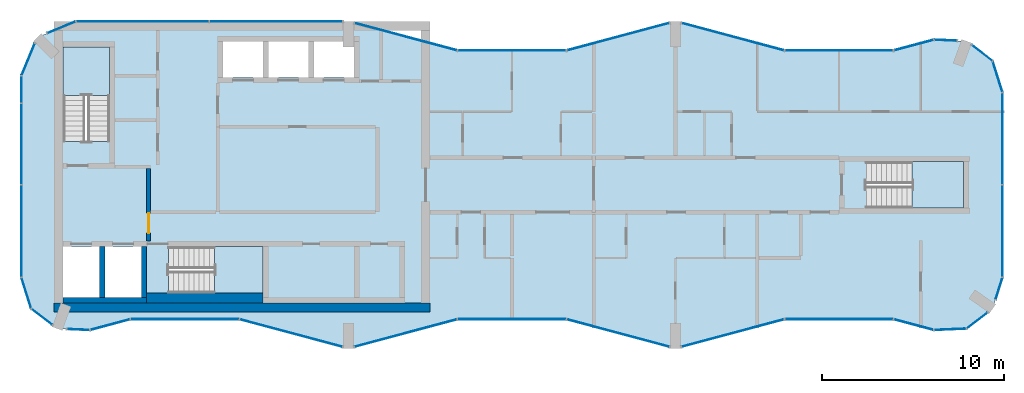
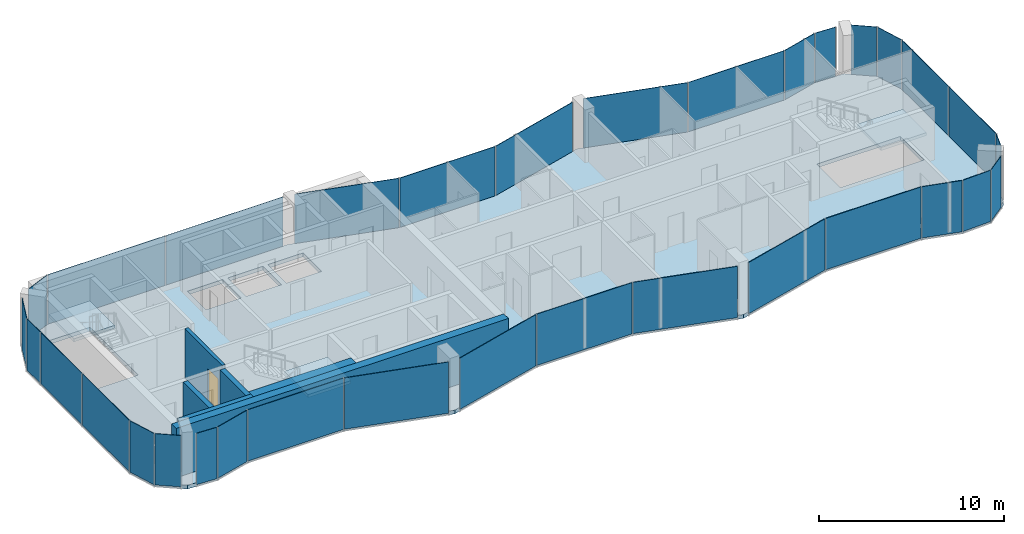
# One storey, part 6 of 10: 33 plates, 6 walls, 4 slabs, 1 door, 1 opening, 32 elements without a shape of their own.
"""IFC4 building model written with IfcOpenShell, lengths in metres."""

import ifcopenshell
import ifcopenshell.guid

model = None  # the IFC model being written
_history = None  # IfcOwnerHistory: only IFC2X3 demands one
_inside = {}  # id of a spatial element -> (the spatial element, [elements in it])
_under = {}  # id of a project, library or spatial element -> (it, [spatial elements below it])
_declared = {}  # id of a project -> (the project, [libraries it declares])
_typed = {}  # id of a type object -> (the type object, [elements of that type])
_made_of = {}  # id of a material, layer set ... -> (it, [elements and type objects made of it])


def new_model(schema):
    """Start an empty IFC model of exactly this schema.

    Asked for "IFC4X3", IfcOpenShell would pick the latest addendum, in which some entities
    have other attributes; the version numbers below select the first issue.
    IFC2X3 requires an IfcOwnerHistory on every rooted entity: one is made here for all.
    """
    global model, _history
    if schema == "IFC4X3":
        model = ifcopenshell.file(schema_version=(4, 3, 0, 0))
    else:
        model = ifcopenshell.file(schema=schema)
    _inside.clear()
    _under.clear()
    _declared.clear()
    _typed.clear()
    _made_of.clear()
    _history = None
    if model.schema == "IFC2X3":
        org = make("IfcOrganization", Name="unknown")
        user = make(
            "IfcPersonAndOrganization",
            ThePerson=make("IfcPerson", FamilyName="unknown"),
            TheOrganization=org,
        )
        app = make(
            "IfcApplication",
            ApplicationDeveloper=org,
            Version="unknown",
            ApplicationFullName="unknown",
            ApplicationIdentifier="unknown",
        )
        _history = make(
            "IfcOwnerHistory",
            OwningUser=user,
            OwningApplication=app,
            ChangeAction="ADDED",
            CreationDate=0,
        )
    return model


def make(cls, **values):
    """One entity of the class cls with the attributes given. An attribute that is None is left unset."""
    return model.create_entity(
        cls, **{name: value for name, value in values.items() if value is not None}
    )


def rooted(cls, **values):
    """An entity with a GlobalId (a new one), such as an element, a storey or a relation."""
    return make(cls, GlobalId=ifcopenshell.guid.new(), OwnerHistory=_history, **values)


def si_unit(unit_type, name, prefix=None):
    """IfcSIUnit, for example si_unit("LENGTHUNIT", "METRE", prefix="MILLI")."""
    return make("IfcSIUnit", UnitType=unit_type, Prefix=prefix, Name=name)


def assignment(units):
    """IfcUnitAssignment: the units of a project."""
    return None if units is None else make("IfcUnitAssignment", Units=units)


def point(xyz):
    """IfcCartesianPoint."""
    return None if xyz is None else make("IfcCartesianPoint", Coordinates=xyz)


def direction(xyz):
    """IfcDirection."""
    return None if xyz is None else make("IfcDirection", DirectionRatios=xyz)


def frame(location, z_axis=None, x_axis=None):
    """IfcAxis2Placement3D, a coordinate frame: its origin and axes. An axis left out is left unset."""
    return make(
        "IfcAxis2Placement3D",
        Location=point(location),
        Axis=direction(z_axis),
        RefDirection=direction(x_axis),
    )


def frame_2d(location, x_axis=None):
    """IfcAxis2Placement2D, a coordinate frame in the plane: its origin and x axis."""
    return make(
        "IfcAxis2Placement2D", Location=point(location), RefDirection=direction(x_axis)
    )


def origin():
    """The frame at (0, 0, 0) with its axes left unset."""
    return frame((0.0, 0.0, 0.0))


def origin_2d():
    """The frame at (0, 0) in the plane with its x axis left unset."""
    return frame_2d((0.0, 0.0))


def place(relative_to, where):
    """IfcLocalPlacement: puts the frame where relative to a parent placement (None: the world)."""
    return make(
        "IfcLocalPlacement", PlacementRelTo=relative_to, RelativePlacement=where
    )


def context(
    kind, dimensions, precision=None, world=None, true_north=None, identifier=None
):
    """IfcGeometricRepresentationContext, for example the 3D "Model" context."""
    return make(
        "IfcGeometricRepresentationContext",
        ContextIdentifier=identifier,
        ContextType=kind,
        CoordinateSpaceDimension=dimensions,
        Precision=precision,
        WorldCoordinateSystem=world,
        TrueNorth=true_north,
    )


def subcontext(parent, identifier, kind, view, scale=None):
    """IfcGeometricRepresentationSubContext, for example "Body" below "Model"."""
    return make(
        "IfcGeometricRepresentationSubContext",
        ContextIdentifier=identifier,
        ContextType=kind,
        ParentContext=parent,
        TargetScale=scale,
        TargetView=view,
    )


def project(units=None, contexts=None):
    """IfcProject with its units and contexts."""
    return rooted(
        "IfcProject",
        Name="project",
        RepresentationContexts=contexts,
        UnitsInContext=assignment(units),
    )


def spatial(cls, under=None, at=None, **own):
    """A site, building, storey or space (cls), placed at a placement, below another one or the project."""
    s = rooted(cls, ObjectPlacement=at, **own)
    if under is not None:
        _under.setdefault(under.id(), (under, []))[1].append(s)
    return s


def polyline(points):
    """IfcPolyline through the points."""
    return make("IfcPolyline", Points=[point(p) for p in points])


def profile(cls, at=None, kind="AREA", **sizes):
    """A parametric profile (cls). Its sizes go by their IFC names, for example OverallWidth=200.0."""
    return make(cls, ProfileType=kind, Position=at, **sizes)


def rectangle(**sizes):
    """IfcRectangleProfileDef."""
    return profile("IfcRectangleProfileDef", **sizes)


def outline(outer, holes=None, kind="AREA"):
    """IfcArbitraryClosedProfileDef: a profile drawn as a closed curve; with holes, ...WithVoids."""
    if holes is None:
        return make("IfcArbitraryClosedProfileDef", ProfileType=kind, OuterCurve=outer)
    return make(
        "IfcArbitraryProfileDefWithVoids",
        ProfileType=kind,
        OuterCurve=outer,
        InnerCurves=holes,
    )


def extrude(swept, where, along, depth):
    """IfcExtrudedAreaSolid: the profile swept, set in the frame where, extruded along a direction by depth."""
    return make(
        "IfcExtrudedAreaSolid",
        SweptArea=swept,
        Position=where,
        ExtrudedDirection=direction(along),
        Depth=depth,
    )


def shape(context_of_items, identifier, shape_type, items):
    """IfcShapeRepresentation: the items that make up one representation, for example the "Body"."""
    return make(
        "IfcShapeRepresentation",
        ContextOfItems=context_of_items,
        RepresentationIdentifier=identifier,
        RepresentationType=shape_type,
        Items=items,
    )


def material(Name=None, Category=None):
    """IfcMaterial."""
    return make("IfcMaterial", Name=Name, Category=Category)


def layer(
    of_material, thickness, ventilated=None, Name=None, Category=None, Priority=None
):
    """IfcMaterialLayer: one layer of a wall or slab, of a material (None: an air gap)."""
    return make(
        "IfcMaterialLayer",
        Material=of_material,
        LayerThickness=thickness,
        IsVentilated=ventilated,
        Name=Name,
        Category=Category,
        Priority=Priority,
    )


def layer_set(layers, Name=None):
    """IfcMaterialLayerSet."""
    return make("IfcMaterialLayerSet", MaterialLayers=layers, LayerSetName=Name)


def made_of(thing, what):
    """Note that an element or type object is made of a material, layer set ...; save() writes the relation."""
    if what is not None:
        _made_of.setdefault(what.id(), (what, []))[1].append(thing)
    return thing


def type_object(cls, material=None, **own):
    """A type object (cls), such as IfcWallType, which elements share."""
    return made_of(rooted(cls, **own), material)


def element(
    cls,
    number,
    at=None,
    inside=None,
    cuts=None,
    type_object=None,
    material=None,
    context=None,
    identifier="Body",
    shape_type=None,
    held_by="IfcProductDefinitionShape",
    body=None,
    shapes=None,
    **own,
):
    """One element of the class cls, such as IfcWall. Its Tag is "e" and its number.

    at: its placement. inside: the storey or other place that contains it. cuts: it is an
    opening in that element (IfcRelVoidsElement). A single representation is given by context,
    identifier, shape_type and body (its items); several are given by shapes. held_by: the class
    of the entity that holds the representations. save() writes the other relations.
    """
    e = rooted(cls, Tag="e%d" % number, ObjectPlacement=at, **own)
    if body is not None:
        shapes = [shape(context, identifier, shape_type, body)]
    if shapes is not None:
        e.Representation = make(held_by, Representations=shapes)
    if inside is not None:
        _inside.setdefault(inside.id(), (inside, []))[1].append(e)
    if cuts is not None:
        rooted(
            "IfcRelVoidsElement", RelatingBuildingElement=cuts, RelatedOpeningElement=e
        )
    if type_object is not None:
        _typed.setdefault(type_object.id(), (type_object, []))[1].append(e)
    return made_of(e, material)


def fill(opening, filler):
    """IfcRelFillsElement: the door or window that sits in an opening."""
    return rooted(
        "IfcRelFillsElement",
        RelatingOpeningElement=opening,
        RelatedBuildingElement=filler,
    )


def aggregate(whole, parts):
    """IfcRelAggregates: a whole, such as a stair, and the parts it consists of."""
    return rooted("IfcRelAggregates", RelatingObject=whole, RelatedObjects=parts)


def save(model, path):
    """Write the relations noted so far, then the file.

    IfcRelAggregates (storeys below a building ...), IfcRelContainedInSpatialStructure (elements
    in a storey), IfcRelDefinesByType, IfcRelAssociatesMaterial and IfcRelDeclares: one each for
    every whole, place, type object, material and project.
    """
    for whole, parts in _under.values():
        aggregate(whole, parts)
    for where, things in _inside.values():
        rooted(
            "IfcRelContainedInSpatialStructure",
            RelatedElements=things,
            RelatingStructure=where,
        )
    for kind, things in _typed.values():
        rooted("IfcRelDefinesByType", RelatedObjects=things, RelatingType=kind)
    for what, things in _made_of.values():
        rooted("IfcRelAssociatesMaterial", RelatedObjects=things, RelatingMaterial=what)
    for by, libraries in _declared.values():
        rooted("IfcRelDeclares", RelatingContext=by, RelatedDefinitions=libraries)
    model.write(path)


model = new_model("IFC4")

# Units and contexts
model_context = context("Model", 3, precision=1e-05, world=origin(), true_north=direction((0.0, 1.0)))
body_context = subcontext(model_context, "Body", "Model", "MODEL_VIEW")
ifc_project = project(units=[si_unit("LENGTHUNIT", "METRE"), si_unit("AREAUNIT", "SQUARE_METRE"), si_unit("VOLUMEUNIT", "CUBIC_METRE"), si_unit("PLANEANGLEUNIT", "RADIAN"), si_unit("MASSUNIT", "GRAM", prefix="KILO")], contexts=[model_context])

# Site, building, storey
site_placement = place(None, origin())
site = spatial("IfcSite", under=ifc_project, at=site_placement, CompositionType="ELEMENT")
building_placement = place(site_placement, origin())
building = spatial("IfcBuilding", under=site, at=building_placement, Name="Plateau Cross Towers", CompositionType="ELEMENT")
storey_placement = place(building_placement, frame((0.0, 0.0, 245.89990234375)))
storey = spatial("IfcBuildingStorey", under=building, at=storey_placement, Name="L64", CompositionType="ELEMENT", Elevation=245.89990234375)

# Curtain wall, plate
ifc_material_1 = material(Name="Dark low-iron glass", Category="glass")
ifc_layer_1 = layer(ifc_material_1, 0.239990234375)
ifc_layer_set_1 = layer_set([ifc_layer_1], Name="Dark low-iron glass")
curtain_wall_type_1 = type_object("IfcCurtainWallType", Name="Curtain wall flush unitised CW-B", PredefinedType="NOTDEFINED", material=ifc_layer_set_1)
curtain_wall_1_placement = place(storey_placement, origin())
curtain_wall_1 = element("IfcCurtainWall", 1, at=curtain_wall_1_placement, inside=storey, type_object=curtain_wall_type_1, Name="ENV/A/L64/A502_10", PredefinedType="NOTDEFINED")
ifc_layer_2 = layer(ifc_material_1, 0.031982421875)
ifc_layer_set_2 = layer_set([ifc_layer_2], Name="Dark low-iron glass")
plate_type_1 = type_object("IfcPlateType", Name="Glass panel 32 flush unitised", PredefinedType="CURTAIN_PANEL", material=ifc_layer_set_2)
plate_1_placement = place(storey_placement, frame((51.125, 1.05078125, -0.1298828125), z_axis=(0.0, 0.0, 1.0), x_axis=(0.999043701491, 0.043722791671, 0.0)))
plate_1 = element("IfcPlate", 2, at=plate_1_placement, type_object=plate_type_1, Name="CW-B panel 1", PredefinedType="CURTAIN_PANEL", context=body_context, shape_type="SweptSolid", body=[
    extrude(rectangle(XDim=1.744140625, YDim=0.031982421875, at=origin_2d()), origin(), (0.0, 0.0, 1.0), 3.3798828125),
])
aggregate(curtain_wall_1, [plate_1])

curtain_wall_2_placement = place(storey_placement, origin())
curtain_wall_2 = element("IfcCurtainWall", 3, at=curtain_wall_2_placement, inside=storey, type_object=curtain_wall_type_1, Name="ENV/A/L64/A520_11", PredefinedType="NOTDEFINED")
plate_2_placement = place(storey_placement, frame((52.60986328125, 1.5380859375, -0.1298828125), z_axis=(0.0, 0.0, 1.0), x_axis=(0.793315514529, 0.608810721331, 0.0)))
plate_2 = element("IfcPlate", 4, at=plate_2_placement, type_object=plate_type_1, Name="CW-B panel 1", PredefinedType="CURTAIN_PANEL", context=body_context, shape_type="SweptSolid", body=[
    extrude(rectangle(XDim=1.41162109375, YDim=0.031982421875, at=origin_2d()), origin(), (0.0, 0.0, 1.0), 3.3798828125),
])
aggregate(curtain_wall_2, [plate_2])

curtain_wall_3_placement = place(storey_placement, origin())
curtain_wall_3 = element("IfcCurtainWall", 5, at=curtain_wall_3_placement, inside=storey, type_object=curtain_wall_type_1, Name="ENV/A/L64/A536_27", PredefinedType="NOTDEFINED")
plate_3_placement = place(storey_placement, frame((53.805419921875, 3.292236328125, -0.1298828125), z_axis=(0.0, 0.0, 1.0), x_axis=(0.300686174994, 0.95372313811, 0.0)))
plate_3 = element("IfcPlate", 6, at=plate_3_placement, type_object=plate_type_1, Name="CW-B panel 1", PredefinedType="CURTAIN_PANEL", context=body_context, shape_type="SweptSolid", body=[
    extrude(rectangle(XDim=1.233642578125, YDim=0.031982421875, at=origin_2d()), origin(), (0.0, 0.0, 1.0), 3.3798828125),
])
aggregate(curtain_wall_3, [plate_3])

# Curtain wall, plates
curtain_wall_4_placement = place(storey_placement, origin())
curtain_wall_4 = element("IfcCurtainWall", 7, at=curtain_wall_4_placement, inside=storey, type_object=curtain_wall_type_1, Name="ENV/A/L64/A540_39", PredefinedType="NOTDEFINED")
plate_4_placement = place(storey_placement, frame((54.0, 6.45458984375, -0.1298828125), z_axis=(0.0, 0.0, 1.0), x_axis=(0.0, 1.0, 0.0)))
plate_4 = element("IfcPlate", 8, at=plate_4_placement, type_object=plate_type_1, Name="CW-B panel 1", PredefinedType="CURTAIN_PANEL", context=body_context, shape_type="SweptSolid", body=[
    extrude(rectangle(XDim=5.03076171875, YDim=0.031982421875, at=origin_2d()), origin(), (0.0, 0.0, 1.0), 3.3798828125),
])
plate_5_placement = place(storey_placement, frame((54.0, 11.54541015625, -0.1298828125), z_axis=(0.0, 0.0, 1.0), x_axis=(0.0, 1.0, 0.0)))
plate_5 = element("IfcPlate", 9, at=plate_5_placement, type_object=plate_type_1, Name="CW-B panel 2", PredefinedType="CURTAIN_PANEL", context=body_context, shape_type="SweptSolid", body=[
    extrude(rectangle(XDim=5.03076171875, YDim=0.031982421875, at=origin_2d()), origin(), (0.0, 0.0, 1.0), 3.3798828125),
])
aggregate(curtain_wall_4, [plate_4, plate_5])

# Curtain wall, plate
curtain_wall_5_placement = place(storey_placement, origin())
curtain_wall_5 = element("IfcCurtainWall", 10, at=curtain_wall_5_placement, inside=storey, type_object=curtain_wall_type_1, Name="ENV/A/L64/A540_141", PredefinedType="NOTDEFINED")
plate_6_placement = place(storey_placement, frame((53.728759765625, 14.951171875, -0.1298828125), z_axis=(0.0, 0.0, 1.0), x_axis=(-0.300686174994, 0.95372313811, 0.0)))
plate_6 = element("IfcPlate", 11, at=plate_6_placement, type_object=plate_type_1, Name="CW-B panel 1", PredefinedType="CURTAIN_PANEL", context=body_context, shape_type="SweptSolid", body=[
    extrude(rectangle(XDim=1.744140625, YDim=0.031982421875, at=origin_2d()), origin(), (0.0, 0.0, 1.0), 3.3798828125),
])
aggregate(curtain_wall_5, [plate_6])

curtain_wall_6_placement = place(storey_placement, origin())
curtain_wall_6 = element("IfcCurtainWall", 12, at=curtain_wall_6_placement, inside=storey, type_object=curtain_wall_type_1, Name="ENV/A/L64/A535_158", PredefinedType="NOTDEFINED")
plate_7_placement = place(storey_placement, frame((52.873779296875, 16.25927734375, -0.1298828125), z_axis=(0.0, 0.0, 1.0), x_axis=(-0.793315514529, 0.608810721331, 0.0)))
plate_7 = element("IfcPlate", 13, at=plate_7_placement, type_object=plate_type_1, Name="CW-B panel 1", PredefinedType="CURTAIN_PANEL", context=body_context, shape_type="SweptSolid", body=[
    extrude(rectangle(XDim=1.41162109375, YDim=0.031982421875, at=origin_2d()), origin(), (0.0, 0.0, 1.0), 3.3798828125),
])
aggregate(curtain_wall_6, [plate_7])

curtain_wall_7_placement = place(storey_placement, origin())
curtain_wall_7 = element("IfcCurtainWall", 14, at=curtain_wall_7_placement, inside=storey, type_object=curtain_wall_type_1, Name="ENV/A/L64/A515_169", PredefinedType="NOTDEFINED")
plate_8_placement = place(storey_placement, frame((50.8701171875, 16.96044921875, -0.1298828125), z_axis=(0.0, 0.0, 1.0), x_axis=(-0.999043701491, 0.043722791671, 0.0)))
plate_8 = element("IfcPlate", 15, at=plate_8_placement, type_object=plate_type_1, Name="CW-B panel 1", PredefinedType="CURTAIN_PANEL", context=body_context, shape_type="SweptSolid", body=[
    extrude(rectangle(XDim=1.233642578125, YDim=0.031982421875, at=origin_2d()), origin(), (0.0, 0.0, 1.0), 3.3798828125),
])
aggregate(curtain_wall_7, [plate_8])

# Curtain wall, plates
curtain_wall_8_placement = place(storey_placement, origin())
curtain_wall_8 = element("IfcCurtainWall", 16, at=curtain_wall_8_placement, inside=storey, type_object=curtain_wall_type_1, Name="ENV/A/L64/A177_180", PredefinedType="NOTDEFINED")
plate_9_placement = place(storey_placement, frame((14.02490234375, 18.0, -0.1298828125), z_axis=(0.0, 0.0, 1.0), x_axis=(-1.0, 0.0, 0.0)))
plate_9 = element("IfcPlate", 17, at=plate_9_placement, type_object=plate_type_1, Name="CW-B panel 1", PredefinedType="CURTAIN_PANEL", context=body_context, shape_type="SweptSolid", body=[
    extrude(rectangle(XDim=7.2900390625, YDim=0.031982421875, at=origin_2d()), origin(), (0.0, 0.0, 1.0), 3.3798828125),
])
plate_10_placement = place(storey_placement, frame((6.675048828125, 18.0, -0.1298828125), z_axis=(0.0, 0.0, 1.0), x_axis=(-1.0, 0.0, 0.0)))
plate_10 = element("IfcPlate", 18, at=plate_10_placement, type_object=plate_type_1, Name="CW-B panel 2", PredefinedType="CURTAIN_PANEL", context=body_context, shape_type="SweptSolid", body=[
    extrude(rectangle(XDim=7.2900390625, YDim=0.031982421875, at=origin_2d()), origin(), (0.0, 0.0, 1.0), 3.3798828125),
])
aggregate(curtain_wall_8, [plate_9, plate_10])

# Curtain wall, plate
curtain_wall_9_placement = place(storey_placement, origin())
curtain_wall_9 = element("IfcCurtainWall", 19, at=curtain_wall_9_placement, inside=storey, type_object=curtain_wall_type_1, Name="ENV/A/L64/A30_180", PredefinedType="NOTDEFINED")
plate_11_placement = place(storey_placement, frame((2.20166015625, 17.66943359375, -0.1298828125), z_axis=(0.0, 0.0, 1.0), x_axis=(-0.923879457699, -0.382683612978, 0.0)))
plate_11 = element("IfcPlate", 20, at=plate_11_placement, type_object=plate_type_1, Name="CW-B panel 1", PredefinedType="CURTAIN_PANEL", context=body_context, shape_type="SweptSolid", body=[
    extrude(rectangle(XDim=1.668212890625, YDim=0.031982421875, at=origin_2d()), origin(), (0.0, 0.0, 1.0), 3.3798828125),
])
aggregate(curtain_wall_9, [plate_11])

curtain_wall_10_placement = place(storey_placement, origin())
curtain_wall_10 = element("IfcCurtainWall", 21, at=curtain_wall_10_placement, inside=storey, type_object=curtain_wall_type_1, Name="ENV/A/L64/A7_168", PredefinedType="NOTDEFINED")
plate_12_placement = place(storey_placement, frame((0.3740234375, 15.90283203125, -0.1298828125), z_axis=(0.0, 0.0, 1.0), x_axis=(-0.382683612978, -0.923879457699, 0.0)))
plate_12 = element("IfcPlate", 22, at=plate_12_placement, type_object=plate_type_1, Name="CW-B panel 1", PredefinedType="CURTAIN_PANEL", context=body_context, shape_type="SweptSolid", body=[
    extrude(rectangle(XDim=1.894775390625, YDim=0.031982421875, at=origin_2d()), origin(), (0.0, 0.0, 1.0), 3.3798828125),
])
aggregate(curtain_wall_10, [plate_12])

# Curtain wall, plates
curtain_wall_11_placement = place(storey_placement, origin())
curtain_wall_11 = element("IfcCurtainWall", 23, at=curtain_wall_11_placement, inside=storey, type_object=curtain_wall_type_1, Name="ENV/A/L64/A0_150", PredefinedType="NOTDEFINED")
plate_13_placement = place(storey_placement, frame((0.0, 14.25, -0.1298828125), z_axis=(0.0, 0.0, 1.0), x_axis=(0.0, -1.0, 0.0)))
plate_13 = element("IfcPlate", 24, at=plate_13_placement, type_object=plate_type_1, Name="CW-B panel 1", PredefinedType="CURTAIN_PANEL", context=body_context, shape_type="SweptSolid", body=[
    extrude(rectangle(XDim=1.43994140625, YDim=0.031982421875, at=origin_2d()), origin(), (0.0, 0.0, 1.0), 3.3798828125),
])
plate_14_placement = place(storey_placement, frame((0.0, 11.25, -0.1298828125), z_axis=(0.0, 0.0, 1.0), x_axis=(0.0, -1.0, 0.0)))
plate_14 = element("IfcPlate", 25, at=plate_14_placement, type_object=plate_type_1, Name="CW-B panel 2", PredefinedType="CURTAIN_PANEL", context=body_context, shape_type="SweptSolid", body=[
    extrude(rectangle(XDim=4.43994140625, YDim=0.031982421875, at=origin_2d()), origin(), (0.0, 0.0, 1.0), 3.3798828125),
])
plate_15_placement = place(storey_placement, frame((0.0, 6.45458984375, -0.1298828125), z_axis=(0.0, 0.0, 1.0), x_axis=(0.0, -1.0, 0.0)))
plate_15 = element("IfcPlate", 26, at=plate_15_placement, type_object=plate_type_1, Name="CW-B panel 3", PredefinedType="CURTAIN_PANEL", context=body_context, shape_type="SweptSolid", body=[
    extrude(rectangle(XDim=5.03076171875, YDim=0.031982421875, at=origin_2d()), origin(), (0.0, 0.0, 1.0), 3.3798828125),
])
aggregate(curtain_wall_11, [plate_13, plate_14, plate_15])

# Curtain wall, plate
curtain_wall_12_placement = place(storey_placement, origin())
curtain_wall_12 = element("IfcCurtainWall", 27, at=curtain_wall_12_placement, inside=storey, type_object=curtain_wall_type_1, Name="ENV/A/L64/A0_39", PredefinedType="NOTDEFINED")
plate_16_placement = place(storey_placement, frame((0.271240234375, 3.048828125, -0.1298828125), z_axis=(0.0, 0.0, 1.0), x_axis=(0.300686174994, -0.95372313811, 0.0)))
plate_16 = element("IfcPlate", 28, at=plate_16_placement, type_object=plate_type_1, Name="CW-B panel 1", PredefinedType="CURTAIN_PANEL", context=body_context, shape_type="SweptSolid", body=[
    extrude(rectangle(XDim=1.744140625, YDim=0.031982421875, at=origin_2d()), origin(), (0.0, 0.0, 1.0), 3.3798828125),
])
aggregate(curtain_wall_12, [plate_16])

curtain_wall_13_placement = place(storey_placement, origin())
curtain_wall_13 = element("IfcCurtainWall", 29, at=curtain_wall_13_placement, inside=storey, type_object=curtain_wall_type_1, Name="ENV/A/L64/A5_22", PredefinedType="NOTDEFINED")
plate_17_placement = place(storey_placement, frame((1.126220703125, 1.74072265625, -0.1298828125), z_axis=(0.0, 0.0, 1.0), x_axis=(0.793315514529, -0.608810721331, 0.0)))
plate_17 = element("IfcPlate", 30, at=plate_17_placement, type_object=plate_type_1, Name="CW-B panel 1", PredefinedType="CURTAIN_PANEL", context=body_context, shape_type="SweptSolid", body=[
    extrude(rectangle(XDim=1.41162109375, YDim=0.031982421875, at=origin_2d()), origin(), (0.0, 0.0, 1.0), 3.3798828125),
])
aggregate(curtain_wall_13, [plate_17])

curtain_wall_14_placement = place(storey_placement, origin())
curtain_wall_14 = element("IfcCurtainWall", 31, at=curtain_wall_14_placement, inside=storey, type_object=curtain_wall_type_1, Name="ENV/A/L64/A25_11", PredefinedType="NOTDEFINED")
plate_18_placement = place(storey_placement, frame((3.1298828125, 1.03955078125, -0.1298828125), z_axis=(0.0, 0.0, 1.0), x_axis=(0.999043701491, -0.043722791671, 0.0)))
plate_18 = element("IfcPlate", 32, at=plate_18_placement, type_object=plate_type_1, Name="CW-B panel 1", PredefinedType="CURTAIN_PANEL", context=body_context, shape_type="SweptSolid", body=[
    extrude(rectangle(XDim=1.233642578125, YDim=0.031982421875, at=origin_2d()), origin(), (0.0, 0.0, 1.0), 3.3798828125),
])
aggregate(curtain_wall_14, [plate_18])

ifc_layer_3 = layer(ifc_material_1, 0.260009765625)
ifc_layer_set_3 = layer_set([ifc_layer_3], Name="Dark low-iron glass")
curtain_wall_type_2 = type_object("IfcCurtainWallType", Name="Curtain wall fluted unitised CW-A", PredefinedType="NOTDEFINED", material=ifc_layer_set_3)
curtain_wall_15_placement = place(storey_placement, origin())
curtain_wall_15 = element("IfcCurtainWall", 33, at=curtain_wall_15_placement, inside=storey, type_object=curtain_wall_type_2, Name="ENV/A/L64/A38_10", PredefinedType="NOTDEFINED")
ifc_layer_4 = layer(ifc_material_1, 0.035888671875)
ifc_layer_set_4 = layer_set([ifc_layer_4], Name="Dark low-iron glass")
plate_type_2 = type_object("IfcPlateType", Name="Glass panel 36 fluted unitised", PredefinedType="CURTAIN_PANEL", material=ifc_layer_set_4)
plate_19_placement = place(storey_placement, frame((4.887939453125, 1.30908203125, -0.1298828125), z_axis=(0.0, 0.0, 1.0), x_axis=(0.965957962328, 0.258699081978, 0.0)))
plate_19 = element("IfcPlate", 34, at=plate_19_placement, type_object=plate_type_2, Name="CW-A panel 1", PredefinedType="CURTAIN_PANEL", context=body_context, shape_type="SweptSolid", body=[
    extrude(rectangle(XDim=2.2421875, YDim=0.035888671875, at=origin_2d()), origin(), (0.0, 0.0, 1.0), 3.3798828125),
])
aggregate(curtain_wall_15, [plate_19])

curtain_wall_16_placement = place(storey_placement, origin())
curtain_wall_16 = element("IfcCurtainWall", 35, at=curtain_wall_16_placement, inside=storey, type_object=curtain_wall_type_2, Name="ENV/A/L64/A60_16", PredefinedType="NOTDEFINED")
plate_20_placement = place(storey_placement, frame((9.0, 1.60693359375, -0.1298828125), z_axis=(0.0, 0.0, 1.0), x_axis=(1.0, 0.0, 0.0)))
plate_20 = element("IfcPlate", 36, at=plate_20_placement, type_object=plate_type_2, Name="CW-A panel 1", PredefinedType="CURTAIN_PANEL", context=body_context, shape_type="SweptSolid", body=[
    extrude(rectangle(XDim=5.93994140625, YDim=0.035888671875, at=origin_2d()), origin(), (0.0, 0.0, 1.0), 3.3798828125),
])
aggregate(curtain_wall_16, [plate_20])

curtain_wall_17_placement = place(storey_placement, origin())
curtain_wall_17 = element("IfcCurtainWall", 37, at=curtain_wall_17_placement, inside=storey, type_object=curtain_wall_type_2, Name="ENV/A/L64/A120_16", PredefinedType="NOTDEFINED")
plate_21_placement = place(storey_placement, frame((14.841064453125, 0.845947265625, -0.1298828125), z_axis=(0.0, 0.0, 1.0), x_axis=(0.965957983404, -0.258699003279, 0.0)))
plate_21 = element("IfcPlate", 38, at=plate_21_placement, type_object=plate_type_2, Name="CW-A panel 1", PredefinedType="CURTAIN_PANEL", context=body_context, shape_type="SweptSolid", body=[
    extrude(rectangle(XDim=5.822265625, YDim=0.035888671875, at=origin_2d()), origin(), (0.0, 0.0, 1.0), 3.3798828125),
])
aggregate(curtain_wall_17, [plate_21])

curtain_wall_18_placement = place(storey_placement, origin())
curtain_wall_18 = element("IfcCurtainWall", 39, at=curtain_wall_18_placement, inside=storey, type_object=curtain_wall_type_2, Name="ENV/A/L64/A183_1", PredefinedType="NOTDEFINED")
plate_22_placement = place(storey_placement, frame((21.158935546875, 0.845947265625, -0.1298828125), z_axis=(0.0, 0.0, 1.0), x_axis=(0.965957983404, 0.258699003279, 0.0)))
plate_22 = element("IfcPlate", 40, at=plate_22_placement, type_object=plate_type_2, Name="CW-A panel 1", PredefinedType="CURTAIN_PANEL", context=body_context, shape_type="SweptSolid", body=[
    extrude(rectangle(XDim=5.822265625, YDim=0.035888671875, at=origin_2d()), origin(), (0.0, 0.0, 1.0), 3.3798828125),
])
aggregate(curtain_wall_18, [plate_22])

curtain_wall_19_placement = place(storey_placement, origin())
curtain_wall_19 = element("IfcCurtainWall", 41, at=curtain_wall_19_placement, inside=storey, type_object=curtain_wall_type_2, Name="ENV/A/L64/A240_16", PredefinedType="NOTDEFINED")
plate_23_placement = place(storey_placement, frame((27.0, 1.60693359375, -0.1298828125), z_axis=(0.0, 0.0, 1.0), x_axis=(1.0, 0.0, 0.0)))
plate_23 = element("IfcPlate", 42, at=plate_23_placement, type_object=plate_type_2, Name="CW-A panel 1", PredefinedType="CURTAIN_PANEL", context=body_context, shape_type="SweptSolid", body=[
    extrude(rectangle(XDim=5.93994140625, YDim=0.035888671875, at=origin_2d()), origin(), (0.0, 0.0, 1.0), 3.3798828125),
])
aggregate(curtain_wall_19, [plate_23])

curtain_wall_20_placement = place(storey_placement, origin())
curtain_wall_20 = element("IfcCurtainWall", 43, at=curtain_wall_20_placement, inside=storey, type_object=curtain_wall_type_2, Name="ENV/A/L64/A300_16", PredefinedType="NOTDEFINED")
plate_24_placement = place(storey_placement, frame((32.841064453125, 0.845947265625, -0.1298828125), z_axis=(0.0, 0.0, 1.0), x_axis=(0.965957983404, -0.258699003279, 0.0)))
plate_24 = element("IfcPlate", 44, at=plate_24_placement, type_object=plate_type_2, Name="CW-A panel 1", PredefinedType="CURTAIN_PANEL", context=body_context, shape_type="SweptSolid", body=[
    extrude(rectangle(XDim=5.822265625, YDim=0.035888671875, at=origin_2d()), origin(), (0.0, 0.0, 1.0), 3.3798828125),
])
aggregate(curtain_wall_20, [plate_24])

curtain_wall_21_placement = place(storey_placement, origin())
curtain_wall_21 = element("IfcCurtainWall", 45, at=curtain_wall_21_placement, inside=storey, type_object=curtain_wall_type_2, Name="ENV/A/L64/A363_1", PredefinedType="NOTDEFINED")
plate_25_placement = place(storey_placement, frame((39.158935546875, 0.845947265625, -0.1298828125), z_axis=(0.0, 0.0, 1.0), x_axis=(0.965957983404, 0.258699003279, 0.0)))
plate_25 = element("IfcPlate", 46, at=plate_25_placement, type_object=plate_type_2, Name="CW-A panel 1", PredefinedType="CURTAIN_PANEL", context=body_context, shape_type="SweptSolid", body=[
    extrude(rectangle(XDim=5.822265625, YDim=0.035888671875, at=origin_2d()), origin(), (0.0, 0.0, 1.0), 3.3798828125),
])
aggregate(curtain_wall_21, [plate_25])

curtain_wall_22_placement = place(storey_placement, origin())
curtain_wall_22 = element("IfcCurtainWall", 47, at=curtain_wall_22_placement, inside=storey, type_object=curtain_wall_type_2, Name="ENV/A/L64/A420_16", PredefinedType="NOTDEFINED")
plate_26_placement = place(storey_placement, frame((45.0, 1.60693359375, -0.1298828125), z_axis=(0.0, 0.0, 1.0), x_axis=(1.0, 0.0, 0.0)))
plate_26 = element("IfcPlate", 48, at=plate_26_placement, type_object=plate_type_2, Name="CW-A panel 1", PredefinedType="CURTAIN_PANEL", context=body_context, shape_type="SweptSolid", body=[
    extrude(rectangle(XDim=5.93994140625, YDim=0.035888671875, at=origin_2d()), origin(), (0.0, 0.0, 1.0), 3.3798828125),
])
aggregate(curtain_wall_22, [plate_26])

curtain_wall_23_placement = place(storey_placement, origin())
curtain_wall_23 = element("IfcCurtainWall", 49, at=curtain_wall_23_placement, inside=storey, type_object=curtain_wall_type_2, Name="ENV/A/L64/A480_16", PredefinedType="NOTDEFINED")
plate_27_placement = place(storey_placement, frame((49.112060546875, 1.30908203125, -0.1298828125), z_axis=(0.0, 0.0, 1.0), x_axis=(0.965957962328, -0.258699081978, 0.0)))
plate_27 = element("IfcPlate", 50, at=plate_27_placement, type_object=plate_type_2, Name="CW-A panel 1", PredefinedType="CURTAIN_PANEL", context=body_context, shape_type="SweptSolid", body=[
    extrude(rectangle(XDim=2.2421875, YDim=0.035888671875, at=origin_2d()), origin(), (0.0, 0.0, 1.0), 3.3798828125),
])
aggregate(curtain_wall_23, [plate_27])

curtain_wall_24_placement = place(storey_placement, origin())
curtain_wall_24 = element("IfcCurtainWall", 51, at=curtain_wall_24_placement, inside=storey, type_object=curtain_wall_type_2, Name="ENV/A/L64/A502_170", PredefinedType="NOTDEFINED")
plate_28_placement = place(storey_placement, frame((49.112060546875, 16.69091796875, -0.1298828125), z_axis=(0.0, 0.0, 1.0), x_axis=(-0.965957962328, -0.258699081978, 0.0)))
plate_28 = element("IfcPlate", 52, at=plate_28_placement, type_object=plate_type_2, Name="CW-A panel 1", PredefinedType="CURTAIN_PANEL", context=body_context, shape_type="SweptSolid", body=[
    extrude(rectangle(XDim=2.2421875, YDim=0.035888671875, at=origin_2d()), origin(), (0.0, 0.0, 1.0), 3.3798828125),
])
aggregate(curtain_wall_24, [plate_28])

curtain_wall_25_placement = place(storey_placement, origin())
curtain_wall_25 = element("IfcCurtainWall", 53, at=curtain_wall_25_placement, inside=storey, type_object=curtain_wall_type_2, Name="ENV/A/L64/A480_164", PredefinedType="NOTDEFINED")
plate_29_placement = place(storey_placement, frame((45.0, 16.39306640625, -0.1298828125), z_axis=(0.0, 0.0, 1.0), x_axis=(-1.0, 0.0, 0.0)))
plate_29 = element("IfcPlate", 54, at=plate_29_placement, type_object=plate_type_2, Name="CW-A panel 1", PredefinedType="CURTAIN_PANEL", context=body_context, shape_type="SweptSolid", body=[
    extrude(rectangle(XDim=5.93994140625, YDim=0.035888671875, at=origin_2d()), origin(), (0.0, 0.0, 1.0), 3.3798828125),
])
aggregate(curtain_wall_25, [plate_29])

curtain_wall_26_placement = place(storey_placement, origin())
curtain_wall_26 = element("IfcCurtainWall", 55, at=curtain_wall_26_placement, inside=storey, type_object=curtain_wall_type_2, Name="ENV/A/L64/A420_164", PredefinedType="NOTDEFINED")
plate_30_placement = place(storey_placement, frame((39.158935546875, 17.154052734375, -0.1298828125), z_axis=(0.0, 0.0, 1.0), x_axis=(-0.965957983404, 0.258699003279, 0.0)))
plate_30 = element("IfcPlate", 56, at=plate_30_placement, type_object=plate_type_2, Name="CW-A panel 1", PredefinedType="CURTAIN_PANEL", context=body_context, shape_type="SweptSolid", body=[
    extrude(rectangle(XDim=5.822265625, YDim=0.035888671875, at=origin_2d()), origin(), (0.0, 0.0, 1.0), 3.3798828125),
])
aggregate(curtain_wall_26, [plate_30])

curtain_wall_27_placement = place(storey_placement, origin())
curtain_wall_27 = element("IfcCurtainWall", 57, at=curtain_wall_27_placement, inside=storey, type_object=curtain_wall_type_2, Name="ENV/A/L64/A357_179", PredefinedType="NOTDEFINED")
plate_31_placement = place(storey_placement, frame((32.841064453125, 17.154052734375, -0.1298828125), z_axis=(0.0, 0.0, 1.0), x_axis=(-0.965957983404, -0.258699003279, 0.0)))
plate_31 = element("IfcPlate", 58, at=plate_31_placement, type_object=plate_type_2, Name="CW-A panel 1", PredefinedType="CURTAIN_PANEL", context=body_context, shape_type="SweptSolid", body=[
    extrude(rectangle(XDim=5.822265625, YDim=0.035888671875, at=origin_2d()), origin(), (0.0, 0.0, 1.0), 3.3798828125),
])
aggregate(curtain_wall_27, [plate_31])

curtain_wall_28_placement = place(storey_placement, origin())
curtain_wall_28 = element("IfcCurtainWall", 59, at=curtain_wall_28_placement, inside=storey, type_object=curtain_wall_type_2, Name="ENV/A/L64/A300_164", PredefinedType="NOTDEFINED")
plate_32_placement = place(storey_placement, frame((27.0, 16.39306640625, -0.1298828125), z_axis=(0.0, 0.0, 1.0), x_axis=(-1.0, 0.0, 0.0)))
plate_32 = element("IfcPlate", 60, at=plate_32_placement, type_object=plate_type_2, Name="CW-A panel 1", PredefinedType="CURTAIN_PANEL", context=body_context, shape_type="SweptSolid", body=[
    extrude(rectangle(XDim=5.93994140625, YDim=0.035888671875, at=origin_2d()), origin(), (0.0, 0.0, 1.0), 3.3798828125),
])
aggregate(curtain_wall_28, [plate_32])

curtain_wall_29_placement = place(storey_placement, origin())
curtain_wall_29 = element("IfcCurtainWall", 61, at=curtain_wall_29_placement, inside=storey, type_object=curtain_wall_type_2, Name="ENV/A/L64/A240_164", PredefinedType="NOTDEFINED")
plate_33_placement = place(storey_placement, frame((21.158935546875, 17.154052734375, -0.1298828125), z_axis=(0.0, 0.0, 1.0), x_axis=(-0.965957983404, 0.258699003279, 0.0)))
plate_33 = element("IfcPlate", 62, at=plate_33_placement, type_object=plate_type_2, Name="CW-A panel 1", PredefinedType="CURTAIN_PANEL", context=body_context, shape_type="SweptSolid", body=[
    extrude(rectangle(XDim=5.822265625, YDim=0.035888671875, at=origin_2d()), origin(), (0.0, 0.0, 1.0), 3.3798828125),
])
aggregate(curtain_wall_29, [plate_33])

# Slab
ifc_material_2 = material(Name="Concrete C40/50", Category="concrete")
ifc_layer_5 = layer(ifc_material_2, 0.25)
ifc_layer_set_5 = layer_set([ifc_layer_5], Name="Concrete C40/50")
slab_type_1 = type_object("IfcSlabType", Name="Post-tensioned flat plate slab 250", PredefinedType="FLOOR", material=ifc_layer_set_5)
slab_1_placement = place(storey_placement, frame((0.0, 0.0, -0.25)))
element("IfcSlab", 63, at=slab_1_placement, inside=storey, type_object=slab_type_1, Name="SL-A-L64", PredefinedType="FLOOR", context=body_context, shape_type="SweptSolid", body=[
    extrude(outline(polyline([(1.9736328125, 1.090087890625), (0.54248046875, 2.1884765625), (0.0, 3.9091796875), (0.0, 15.0), (0.878662109375, 17.121337890625), (3.0, 18.0), (18.0, 18.0), (24.0, 16.39306640625), (30.0, 16.39306640625), (36.0, 18.0), (42.0, 16.39306640625), (48.0, 16.39306640625), (50.223876953125, 16.98876953125), (52.0263671875, 16.909912109375), (53.45751953125, 15.8115234375), (54.0, 14.0908203125), (54.0, 3.9091796875), (53.45751953125, 2.1884765625), (52.0263671875, 1.090087890625), (50.223876953125, 1.01123046875), (48.0, 1.60693359375), (42.0, 1.60693359375), (36.0, 0.0), (30.0, 1.60693359375), (24.0, 1.60693359375), (18.0, 0.0), (12.0, 1.60693359375), (6.0, 1.60693359375), (3.776123046875, 1.01123046875), (1.9736328125, 1.090087890625)]), holes=[polyline([(4.300048828125, 5.60009765625), (2.300048828125, 5.60009765625), (2.300048828125, 2.800048828125), (4.300048828125, 2.800048828125), (4.300048828125, 5.60009765625)]), polyline([(6.60009765625, 5.60009765625), (4.60009765625, 5.60009765625), (4.60009765625, 2.800048828125), (6.60009765625, 2.800048828125), (6.60009765625, 5.60009765625)]), polyline([(13.300048828125, 5.60009765625), (8.10009765625, 5.60009765625), (8.10009765625, 3.050048828125), (13.300048828125, 3.050048828125), (13.300048828125, 5.60009765625)]), polyline([(51.699951171875, 10.27490234375), (46.5, 10.27490234375), (46.5, 7.72509765625), (51.699951171875, 7.72509765625), (51.699951171875, 10.27490234375)]), polyline([(2.300048828125, 16.60009765625), (2.300048828125, 11.39990234375), (4.85009765625, 11.39990234375), (4.85009765625, 16.60009765625), (2.300048828125, 16.60009765625)]), polyline([(13.300048828125, 16.89990234375), (11.10009765625, 16.89990234375), (11.10009765625, 14.89990234375), (13.300048828125, 14.89990234375), (13.300048828125, 16.89990234375)]), polyline([(15.800048828125, 16.89990234375), (13.60009765625, 16.89990234375), (13.60009765625, 14.89990234375), (15.800048828125, 14.89990234375), (15.800048828125, 16.89990234375)]), polyline([(18.300048828125, 16.89990234375), (16.10009765625, 16.89990234375), (16.10009765625, 14.89990234375), (18.300048828125, 14.89990234375), (18.300048828125, 16.89990234375)])]), origin(), (0.0, 0.0, 1.0), 0.25),
])

# Stair, slab
stair_type = type_object("IfcStairType", Name="ST-TWR", PredefinedType="HALF_TURN_STAIR", material=ifc_material_2)
stair_1_placement = place(storey_placement, origin())
stair_1 = element("IfcStair", 64, at=stair_1_placement, inside=storey, type_object=stair_type, Name="L64 Protected Exit Stair ST-1", PredefinedType="HALF_TURN_STAIR")
ifc_layer_6 = layer(ifc_material_2, 0.199951171875)
ifc_layer_set_6 = layer_set([ifc_layer_6], Name="Concrete C40/50")
slab_type_2 = type_object("IfcSlabType", Name="SL-LANDING", PredefinedType="LANDING", material=ifc_layer_set_6)
slab_2_placement = place(storey_placement, frame((0.0, 0.0, 1.550048828125)))
slab_2 = element("IfcSlab", 65, at=slab_2_placement, type_object=slab_type_2, Name="ST-1 landing 1", PredefinedType="LANDING", context=body_context, shape_type="SweptSolid", body=[
    extrude(outline(polyline([(4.85009765625, 13.919921875), (4.85009765625, 16.60009765625), (2.300048828125, 16.60009765625), (2.300048828125, 13.919921875), (4.85009765625, 13.919921875)])), origin(), (0.0, 0.0, 1.0), 0.199951171875),
])
aggregate(stair_1, [slab_2])

stair_2_placement = place(storey_placement, origin())
stair_2 = element("IfcStair", 66, at=stair_2_placement, inside=storey, type_object=stair_type, Name="L64 Protected Exit Stair ST-2", PredefinedType="HALF_TURN_STAIR")
slab_3_placement = place(storey_placement, frame((0.0, 0.0, 1.550048828125)))
slab_3 = element("IfcSlab", 67, at=slab_3_placement, type_object=slab_type_2, Name="ST-2 landing 1", PredefinedType="LANDING", context=body_context, shape_type="SweptSolid", body=[
    extrude(outline(polyline([(10.6201171875, 3.050048828125), (13.300048828125, 3.050048828125), (13.300048828125, 5.60009765625), (10.6201171875, 5.60009765625), (10.6201171875, 3.050048828125)])), origin(), (0.0, 0.0, 1.0), 0.199951171875),
])
aggregate(stair_2, [slab_3])

stair_3_placement = place(storey_placement, origin())
stair_3 = element("IfcStair", 68, at=stair_3_placement, inside=storey, type_object=stair_type, Name="L64 Protected Exit Stair E", PredefinedType="HALF_TURN_STAIR")
slab_4_placement = place(storey_placement, frame((0.0, 0.0, 1.550048828125)))
slab_4 = element("IfcSlab", 69, at=slab_4_placement, type_object=slab_type_2, Name="ES-E landing 1", PredefinedType="LANDING", context=body_context, shape_type="SweptSolid", body=[
    extrude(outline(polyline([(49.02001953125, 7.72509765625), (51.85009765625, 7.72509765625), (51.85009765625, 10.27490234375), (49.02001953125, 10.27490234375), (49.02001953125, 7.72509765625)])), origin(), (0.0, 0.0, 1.0), 0.199951171875),
])
aggregate(stair_3, [slab_4])

# Wall, opening, door
ifc_material_3 = material(Name="Concrete block, plastered both sides", Category="concrete")
ifc_layer_7 = layer(ifc_material_3, 0.199951171875)
ifc_layer_set_7 = layer_set([ifc_layer_7], Name="Concrete block, plastered both sides")
wall_type_1 = type_object("IfcWallType", Name="Core partition 200", PredefinedType="PARTITIONING", material=ifc_layer_set_7)
wall_1_placement = place(storey_placement, frame((7.0, 5.89990234375, 0.0), z_axis=(0.0, 0.0, 1.0), x_axis=(0.0, 1.0, 0.0)))
wall_1 = element("IfcWall", 70, at=wall_1_placement, inside=storey, type_object=wall_type_1, Name="Core partition", PredefinedType="PARTITIONING", context=body_context, shape_type="SweptSolid", body=[
    extrude(rectangle(XDim=4.0, YDim=0.199951171875, at=frame_2d((2.0, 0.0))), origin(), (0.0, 0.0, 1.0), 3.25),
])
opening_placement = place(wall_1_placement, frame((0.449951171875, 0.0, 0.0)))
opening = element("IfcOpeningElement", 71, at=opening_placement, cuts=wall_1, Name="Opening FFD", PredefinedType="OPENING", context=body_context, shape_type="SweptSolid", body=[
    extrude(rectangle(XDim=1.10009765625, YDim=2.10009765625, at=frame_2d((0.550048828125, 1.050048828125))), frame((0.0, 0.10986328125, 0.0), z_axis=(0.0, -1.0, 0.0), x_axis=(1.0, 0.0, 0.0)), (0.0, 0.0, 1.0), 0.219970703125),
])
ifc_material_4 = material(Name="Steel, fire-resisting leaf", Category="steel")
door_type = type_object("IfcDoorType", Name="Firefighting lobby door 1100", OperationType="NOTDEFINED", PredefinedType="DOOR", material=ifc_material_4)
door_placement = place(opening_placement, origin())
door = element("IfcDoor", 72, at=door_placement, inside=storey, type_object=door_type, Name="Firefighting lobby door FFD", OperationType="SINGLE_SWING_LEFT", OverallHeight=2.10009765625, OverallWidth=1.10009765625, PredefinedType="DOOR", context=body_context, shape_type="SweptSolid", body=[
    extrude(rectangle(XDim=1.10009765625, YDim=2.10009765625, at=frame_2d((0.550048828125, 1.050048828125))), frame((0.0, 0.02490234375, 0.0), z_axis=(0.0, -1.0, 0.0), x_axis=(1.0, 0.0, 0.0)), (0.0, 0.0, 1.0), 0.050048828125),
])
fill(opening, door)

# Walls
ifc_material_5 = material(Name="Concrete C60/75", Category="concrete")
ifc_layer_8 = layer(ifc_material_5, 0.300048828125)
ifc_layer_set_8 = layer_set([ifc_layer_8], Name="Concrete C60/75")
wall_type_2 = type_object("IfcWallType", Name="Core shaft wall 300", PredefinedType="SHEAR", material=ifc_layer_set_8)
wall_2_placement = place(storey_placement, frame((2.300048828125, 2.64990234375, 0.0), z_axis=(0.0, 0.0, 1.0), x_axis=(1.0, 0.0, 0.0)))
element("IfcWall", 73, at=wall_2_placement, inside=storey, type_object=wall_type_2, Name="A-sb-back1@L64", PredefinedType="SHEAR", context=body_context, shape_type="SweptSolid", body=[
    extrude(rectangle(XDim=4.599853515625, YDim=0.300048828125, at=frame_2d((2.2998046875, 0.0))), origin(), (0.0, 0.0, 1.0), 3.25),
])
for number, where, z_axis, x_axis, name in (
    (74, (4.449951171875, 2.800048828125, 0.0), (0.0, 0.0, 1.0), (0.0, 1.0, 0.0), "A-sb-v1@L64"),
    (75, (6.75, 2.800048828125, 0.0), (0.0, 0.0, 1.0), (0.0, 1.0, 0.0), "A-sb-v2@L64"),
):
    element("IfcWall", number, at=place(storey_placement, frame(where, z_axis=z_axis, x_axis=x_axis)), inside=storey, type_object=wall_type_2, Name=name, PredefinedType="SHEAR", context=body_context, shape_type="SweptSolid", body=[
        extrude(rectangle(XDim=2.800048828125, YDim=0.300048828125, at=frame_2d((1.39990234375, 0.0))), origin(), (0.0, 0.0, 1.0), 3.25),
    ])
ifc_layer_9 = layer(ifc_material_5, 0.550048828125)
ifc_layer_set_9 = layer_set([ifc_layer_9], Name="Concrete C60/75")
wall_type_3 = type_object("IfcWallType", Name="Core shaft wall 550", PredefinedType="SHEAR", material=ifc_layer_set_9)
wall_3_placement = place(storey_placement, frame((6.89990234375, 2.77490234375, 0.0), z_axis=(0.0, 0.0, 1.0), x_axis=(1.0, 0.0, 0.0)))
element("IfcWall", 76, at=wall_3_placement, inside=storey, type_object=wall_type_3, Name="A-sb-back2@L64", PredefinedType="SHEAR", context=body_context, shape_type="SweptSolid", body=[
    extrude(rectangle(XDim=6.400146484375, YDim=0.550048828125, at=frame_2d((3.2001953125, 0.0))), origin(), (0.0, 0.0, 1.0), 3.25),
])
ifc_layer_10 = layer(ifc_material_5, 0.5)
ifc_layer_set_10 = layer_set([ifc_layer_10], Name="Concrete C60/75")
wall_type_4 = type_object("IfcWallType", Name="Core shell wall 500", PredefinedType="SHEAR", material=ifc_layer_set_10)
wall_4_placement = place(storey_placement, frame((1.800048828125, 2.25, 0.0), z_axis=(0.0, 0.0, 1.0), x_axis=(1.0, 0.0, 0.0)))
element("IfcWall", 77, at=wall_4_placement, inside=storey, type_object=wall_type_4, Name="A-core-S@L64", PredefinedType="SHEAR", context=body_context, shape_type="SweptSolid", body=[
    extrude(rectangle(XDim=20.699951171875, YDim=0.5, at=frame_2d((10.35009765625, 0.0))), origin(), (0.0, 0.0, 1.0), 3.25),
])

save(model, "model.ifc")
